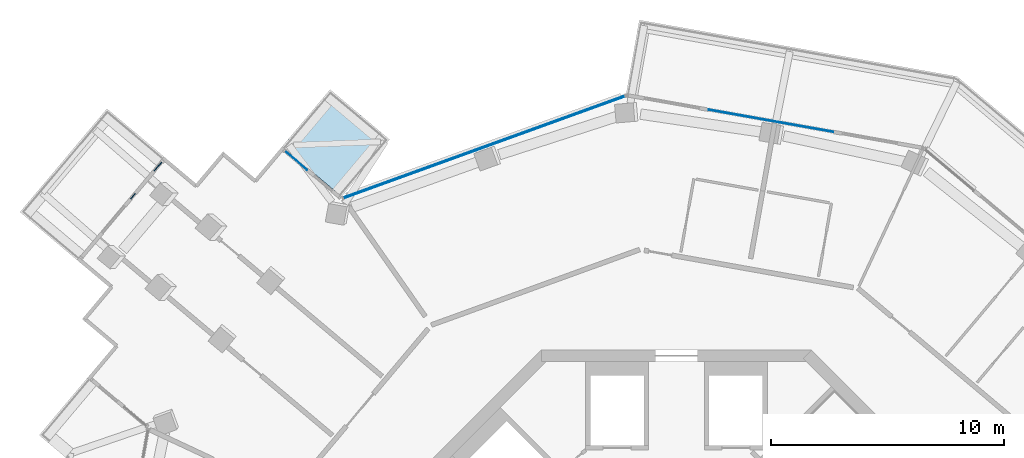
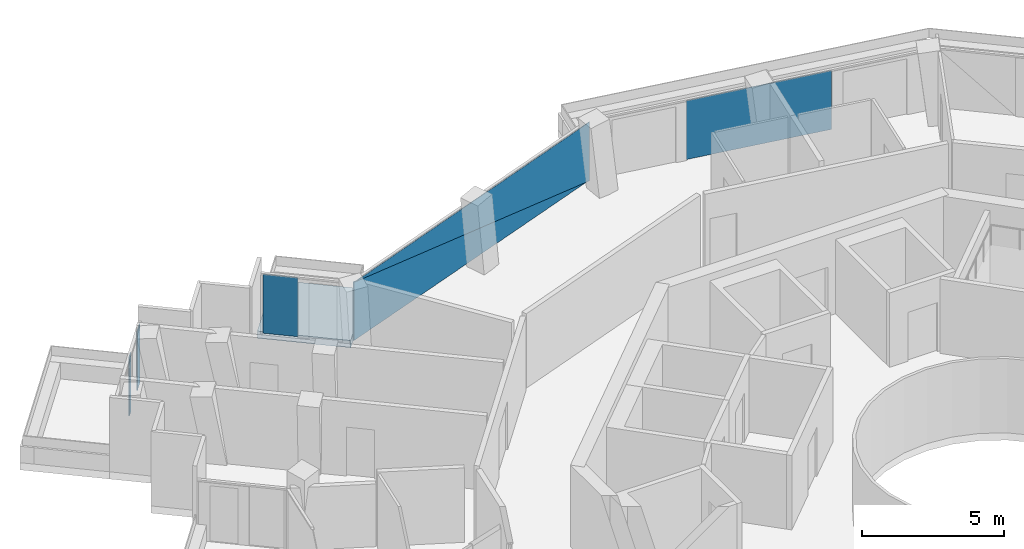
# One storey, part 12 of 22: 6 plates, 1 slab, 4 elements without a shape of their own.
"""IFC4 building model written with IfcOpenShell, lengths in metres."""

from ifc_helpers import new_model, si_unit, direction, frame, origin, origin_2d, place, context, subcontext, project, spatial, polyline, rectangle, outline, extrude, material, layer, layer_set, type_object, element, aggregate, save


model = new_model("IFC4")

# Units and contexts
model_context = context("Model", 3, precision=1e-05, world=origin(), true_north=direction((0.0, 1.0)))
body_context = subcontext(model_context, "Body", "Model", "MODEL_VIEW")
ifc_project = project(units=[si_unit("LENGTHUNIT", "METRE"), si_unit("AREAUNIT", "SQUARE_METRE"), si_unit("VOLUMEUNIT", "CUBIC_METRE"), si_unit("PLANEANGLEUNIT", "RADIAN"), si_unit("MASSUNIT", "GRAM", prefix="KILO")], contexts=[model_context])

# Site, building, storey
site_placement = place(None, origin())
site = spatial("IfcSite", under=ifc_project, at=site_placement, CompositionType="ELEMENT")
building_placement = place(site_placement, origin())
building = spatial("IfcBuilding", under=site, at=building_placement, Name="Verdalira Terraces Hotel", CompositionType="ELEMENT")
storey_placement = place(building_placement, frame((0.0, 0.0, 237.5)))
storey = spatial("IfcBuildingStorey", under=building, at=storey_placement, Name="L58", CompositionType="ELEMENT", Elevation=237.5)

# Slab
ifc_material_1 = material(Name="Precast concrete C40/50", Category="concrete")
ifc_layer_1 = layer(ifc_material_1, 0.31005859375)
ifc_layer_set_1 = layer_set([ifc_layer_1], Name="Balcony deck 310")
slab_type = type_object("IfcSlabType", Name="Balcony deck 310", PredefinedType="FLOOR", material=ifc_layer_set_1)
slab_placement = place(storey_placement, frame((0.0, 0.0, -0.310059)))
element("IfcSlab", 1, at=slab_placement, inside=storey, type_object=slab_type, Name="Balcony deck", PredefinedType="FLOOR", context=body_context, shape_type="SweptSolid", body=[
    extrude(outline(polyline([(-14.868408, 25.188965), (-16.928955, 22.740479), (-14.376221, 20.592285), (-12.315674, 23.040771), (-14.868408, 25.188965)])), origin(), (0.0, 0.0, 1.0), 0.310059),
])

# Curtain wall, plate
ifc_material_2 = material(Name="Clear glass", Category="glass")
ifc_layer_2 = layer(ifc_material_2, 0.14990234375)
ifc_layer_set_2 = layer_set([ifc_layer_2], Name="CW1 curtain wall")
curtain_wall_type_1 = type_object("IfcCurtainWallType", Name="CW1 curtain wall", PredefinedType="NOTDEFINED", material=ifc_layer_set_2)
curtain_wall_1_placement = place(storey_placement, origin())
curtain_wall_1 = element("IfcCurtainWall", 2, at=curtain_wall_1_placement, inside=storey, type_object=curtain_wall_type_1, Name="CW1 curtain wall L58 edge 40", PredefinedType="NOTDEFINED")
ifc_material_3 = material(Name="Clear glass", Category="glass")
ifc_layer_3 = layer(ifc_material_3, 0.028076171875)
ifc_layer_set_3 = layer_set([ifc_layer_3], Name="CW1 glass unit 28")
plate_type_1 = type_object("IfcPlateType", Name="CW1 glass unit 28", PredefinedType="CURTAIN_PANEL", material=ifc_layer_set_3)
plate_1_placement = place(storey_placement, frame((4.055908, 23.841553, 0.0), z_axis=(0.0, 0.0, 1.0), x_axis=(-0.984564335, 0.175023059, 0.0)))
plate_1 = element("IfcPlate", 3, at=plate_1_placement, type_object=plate_type_1, Name="CW1 glass unit", PredefinedType="CURTAIN_PANEL", context=body_context, shape_type="SweptSolid", body=[
    extrude(rectangle(XDim=5.432373, YDim=0.028076, at=origin_2d()), origin(), (0.0, 0.0, 1.0), 2.524902),
])
aggregate(curtain_wall_1, [plate_1])

# Curtain wall, plates
curtain_wall_2_placement = place(storey_placement, origin())
curtain_wall_2 = element("IfcCurtainWall", 4, at=curtain_wall_2_placement, inside=storey, type_object=curtain_wall_type_1, Name="CW1 curtain wall L58 edge 41", PredefinedType="NOTDEFINED")
plate_2_placement = place(storey_placement, frame((-8.253418, 22.716309, 1.262451), z_axis=(-0.340707752, 0.940169255, 0.0), x_axis=(-0.940169255, -0.340707752, 0.0)))
plate_2 = element("IfcPlate", 5, at=plate_2_placement, type_object=plate_type_1, Name="CW1 glass unit", PredefinedType="CURTAIN_PANEL", context=body_context, shape_type="SweptSolid", body=[
    extrude(outline(polyline([(-6.419922, -1.262451), (6.419922, -1.262451), (6.419922, 1.262451), (-6.419922, -1.262451)])), origin(), (0.0, 0.0, 1.0), 0.028076),
])
plate_3_placement = place(storey_placement, frame((-8.243652, 22.688965, 1.262451), z_axis=(-0.340707752, 0.940169255, 0.0), x_axis=(-0.940169255, -0.340707752, 0.0)))
plate_3 = element("IfcPlate", 6, at=plate_3_placement, type_object=plate_type_1, Name="CW1 glass unit", PredefinedType="CURTAIN_PANEL", context=body_context, shape_type="SweptSolid", body=[
    extrude(outline(polyline([(-6.419922, -1.262451), (6.419922, 1.262451), (-6.419922, 1.262451), (-6.419922, -1.262451)])), origin(), (0.0, 0.0, 1.0), 0.028076),
])
aggregate(curtain_wall_2, [plate_2, plate_3])

# Curtain wall, plate
ifc_material_4 = material(Name="Clear glass", Category="glass")
ifc_layer_4 = layer(ifc_material_4, 0.14990234375)
ifc_layer_set_4 = layer_set([ifc_layer_4], Name="CW2 curtain wall")
curtain_wall_type_2 = type_object("IfcCurtainWallType", Name="CW2 curtain wall", PredefinedType="NOTDEFINED", material=ifc_layer_set_4)
curtain_wall_3_placement = place(storey_placement, origin())
curtain_wall_3 = element("IfcCurtainWall", 7, at=curtain_wall_3_placement, inside=storey, type_object=curtain_wall_type_2, Name="CW2 curtain wall L58 edge 0", PredefinedType="NOTDEFINED")
ifc_material_5 = material(Name="Clear glass", Category="glass")
ifc_layer_5 = layer(ifc_material_5, 0.031982421875)
ifc_layer_set_5 = layer_set([ifc_layer_5], Name="CW2 glass unit 32")
plate_type_2 = type_object("IfcPlateType", Name="CW2 glass unit 32", PredefinedType="CURTAIN_PANEL", material=ifc_layer_set_5)
plate_4_placement = place(storey_placement, frame((-16.332031, 22.140137, 0.0), z_axis=(0.0, 0.0, 1.0), x_axis=(-0.765146196, 0.643856583, 0.0)))
plate_4 = element("IfcPlate", 8, at=plate_4_placement, type_object=plate_type_2, Name="CW2 glass unit", PredefinedType="CURTAIN_PANEL", context=body_context, shape_type="SweptSolid", body=[
    extrude(rectangle(XDim=1.246338, YDim=0.031982, at=origin_2d()), origin(), (0.0, 0.0, 1.0), 2.524902),
])
aggregate(curtain_wall_3, [plate_4])

# Curtain wall, plates
ifc_material_6 = material(Name="Clear glass", Category="glass")
ifc_layer_6 = layer(ifc_material_6, 0.14990234375)
ifc_layer_set_6 = layer_set([ifc_layer_6], Name="CW3 curtain wall")
curtain_wall_type_3 = type_object("IfcCurtainWallType", Name="CW3 curtain wall", PredefinedType="NOTDEFINED", material=ifc_layer_set_6)
curtain_wall_4_placement = place(storey_placement, origin())
curtain_wall_4 = element("IfcCurtainWall", 9, at=curtain_wall_4_placement, inside=storey, type_object=curtain_wall_type_3, Name="CW3 curtain wall L58 edge 5", PredefinedType="NOTDEFINED")
ifc_material_7 = material(Name="Clear glass", Category="glass")
ifc_layer_7 = layer(ifc_material_7, 0.035888671875)
ifc_layer_set_7 = layer_set([ifc_layer_7], Name="CW3 glass unit 36")
plate_type_3 = type_object("IfcPlateType", Name="CW3 glass unit 36", PredefinedType="CURTAIN_PANEL", material=ifc_layer_set_7)
plate_5_placement = place(storey_placement, frame((-22.256104, 21.884277, 0.0), z_axis=(0.0, 0.0, 1.0), x_axis=(-0.643856583, -0.765146196, 0.0)))
plate_5 = element("IfcPlate", 10, at=plate_5_placement, type_object=plate_type_3, Name="CW3 glass unit", PredefinedType="CURTAIN_PANEL", context=body_context, shape_type="SweptSolid", body=[
    extrude(rectangle(XDim=0.51001, YDim=0.035889, at=origin_2d()), origin(), (0.0, 0.0, 1.0), 2.524902),
])
plate_6_placement = place(storey_placement, frame((-23.33374, 20.60376, 0.0), z_axis=(0.0, 0.0, 1.0), x_axis=(-0.643856583, -0.765146196, 0.0)))
plate_6 = element("IfcPlate", 11, at=plate_6_placement, type_object=plate_type_3, Name="CW3 glass unit", PredefinedType="CURTAIN_PANEL", context=body_context, shape_type="SweptSolid", body=[
    extrude(rectangle(XDim=0.302734, YDim=0.035889, at=origin_2d()), origin(), (0.0, 0.0, 1.0), 2.524902),
])
aggregate(curtain_wall_4, [plate_5, plate_6])

save(model, "model.ifc")
